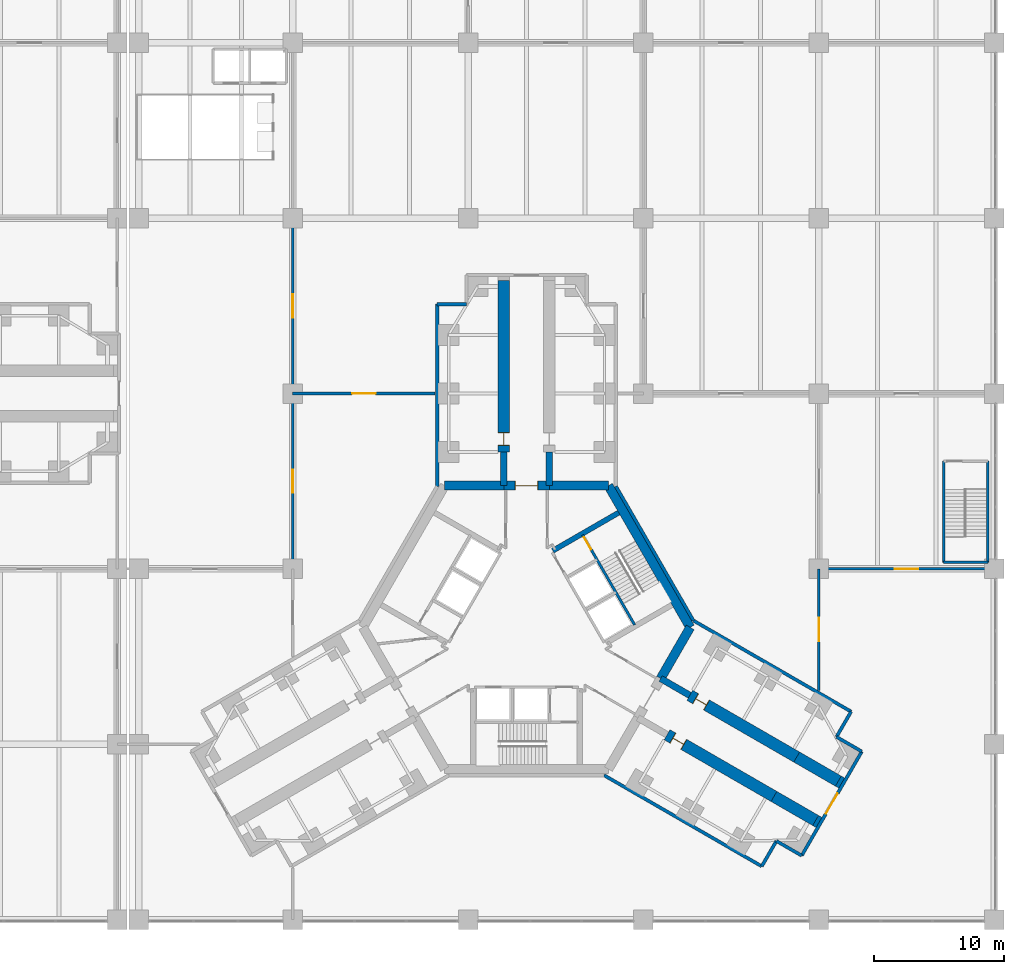
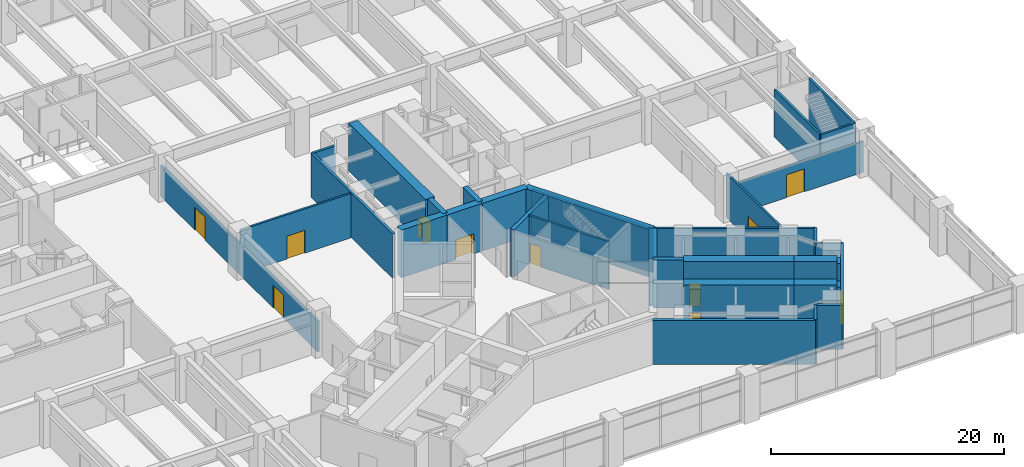
# One storey, part 26 of 31: 35 walls, 11 doors, 11 openings.
"""IFC4 building model written with IfcOpenShell, lengths in metres."""

from ifc_helpers import new_model, si_unit, direction, frame, frame_2d, origin, place, context, subcontext, project, spatial, rectangle, extrude, material, layer, layer_set, type_object, element, fill, save


model = new_model("IFC4")

# Units and contexts
model_context = context("Model", 3, precision=1e-05, world=origin(), true_north=direction((0.0, 1.0)))
body_context = subcontext(model_context, "Body", "Model", "MODEL_VIEW")
ifc_project = project(units=[si_unit("LENGTHUNIT", "METRE"), si_unit("AREAUNIT", "SQUARE_METRE"), si_unit("VOLUMEUNIT", "CUBIC_METRE"), si_unit("PLANEANGLEUNIT", "RADIAN"), si_unit("MASSUNIT", "GRAM", prefix="KILO")], contexts=[model_context])

# Site, building, storey
site_placement = place(None, origin())
site = spatial("IfcSite", under=ifc_project, at=site_placement, CompositionType="ELEMENT")
building_placement = place(site_placement, origin())
building = spatial("IfcBuilding", under=site, at=building_placement, Name="Upepo Twin Towers", CompositionType="ELEMENT")
storey_placement = place(building_placement, frame((0.0, 0.0, 15.5)))
storey = spatial("IfcBuildingStorey", under=building, at=storey_placement, Name="L03", CompositionType="ELEMENT", Elevation=15.5)

# Walls
ifc_material_1 = material(Name="Dense concrete blockwork", Category="masonry")
ifc_layer_1 = layer(ifc_material_1, 0.89990234375)
ifc_layer_set_1 = layer_set([ifc_layer_1], Name="Buttress closer 900, blockwork with fire-stopping to the curtain wall")
wall_type_1 = type_object("IfcWallType", Name="Buttress closer 900, blockwork with fire-stopping to the curtain wall", PredefinedType="PARTITIONING", material=ifc_layer_set_1)
wall_1_placement = place(storey_placement, frame((82.497802734375, -29.83447265625, 0.0), z_axis=(0.0, 0.0, 1.0), x_axis=(0.866131372301, -0.499816412211, 0.0)))
element("IfcWall", 1, at=wall_1_placement, inside=storey, type_object=wall_type_1, Name="T2 L03 wing C buttress closer L", PredefinedType="PARTITIONING", context=body_context, shape_type="SweptSolid", body=[
    extrude(rectangle(XDim=0.2998046875, YDim=0.89990234375, at=frame_2d((0.14990234375, 0.0))), origin(), (0.0, 0.0, 1.0), 4.800048828125),
])
wall_2_placement = place(storey_placement, frame((80.747802734375, -32.865478515625, 0.0), z_axis=(0.0, 0.0, 1.0), x_axis=(0.865778900179, -0.500426713919, 0.0)))
element("IfcWall", 2, at=wall_2_placement, inside=storey, type_object=wall_type_1, Name="T2 L03 wing C buttress closer R", PredefinedType="PARTITIONING", context=body_context, shape_type="SweptSolid", body=[
    extrude(rectangle(XDim=0.300048828125, YDim=0.89990234375, at=frame_2d((0.14990234375, 0.0))), origin(), (0.0, 0.0, 1.0), 4.800048828125),
])
ifc_material_2 = material(Name="Concrete C60/75", Category="concrete")
ifc_layer_2 = layer(ifc_material_2, 0.5)
ifc_layer_set_2 = layer_set([ifc_layer_2], Name="Concrete C60/75")
wall_type_2 = type_object("IfcWallType", Name="Buttress wall 500 RC", PredefinedType="SHEAR", material=ifc_layer_set_2)
for number, where, z_axis, x_axis, name in (
    (3, (56.75, -7.091552734375, 0.0), (0.0, 0.0, 1.0), (0.0, 1.0, 0.0), "T2 wing A buttress wall L"),
    (4, (60.25, -7.091552734375, 0.0), (0.0, 0.0, 1.0), (0.0, 1.0, 0.0), "T2 wing A buttress wall R"),
):
    element("IfcWall", number, at=place(storey_placement, frame(where, z_axis=z_axis, x_axis=x_axis)), inside=storey, type_object=wall_type_2, Name=name, PredefinedType="SHEAR", context=body_context, shape_type="SweptSolid", body=[
        extrude(rectangle(XDim=2.591552734375, YDim=0.5, at=frame_2d((1.2958984375, 0.0))), origin(), (0.0, 0.0, 1.0), 5.0),
    ])
wall_3_placement = place(storey_placement, frame((68.82177734375, -21.938720703125, 0.0), z_axis=(0.0, 0.0, 1.0), x_axis=(0.866072649678, -0.499918158782, 0.0)))
element("IfcWall", 5, at=wall_3_placement, inside=storey, type_object=wall_type_2, Name="T2 wing C buttress wall L", PredefinedType="SHEAR", context=body_context, shape_type="SweptSolid", body=[
    extrude(rectangle(XDim=2.591796875, YDim=0.5, at=frame_2d((1.2958984375, 0.0))), origin(), (0.0, 0.0, 1.0), 5.0),
])

# Wall, opening, door
ifc_material_3 = material(Name="Concrete C60/75", Category="concrete")
ifc_layer_3 = layer(ifc_material_3, 0.89990234375)
ifc_layer_set_3 = layer_set([ifc_layer_3], Name="Concrete C60/75")
wall_type_3 = type_object("IfcWallType", Name="Buttress wall 900 RC", PredefinedType="SHEAR", material=ifc_layer_set_3)
wall_4_placement = place(storey_placement, frame((56.75, -4.5, 0.0), z_axis=(0.0, 0.0, 1.0), x_axis=(0.0, 1.0, 0.0)))
wall_4 = element("IfcWall", 6, at=wall_4_placement, inside=storey, type_object=wall_type_3, Name="T2 wing A buttress wall L part 2", PredefinedType="SHEAR", context=body_context, shape_type="SweptSolid", body=[
    extrude(rectangle(XDim=13.199951171875, YDim=0.89990234375, at=frame_2d((6.60009765625, 0.0))), origin(), (0.0, 0.0, 1.0), 5.0),
])
opening_1_placement = place(wall_4_placement, frame((0.5, 0.0, 0.0)))
opening_1 = element("IfcOpeningElement", 7, at=opening_1_placement, cuts=wall_4, Name="Opening D1", PredefinedType="OPENING", context=body_context, shape_type="SweptSolid", body=[
    extrude(rectangle(XDim=1.0, YDim=2.10009765625, at=frame_2d((0.5, 1.050048828125))), frame((0.0, 0.4599609375, 0.0), z_axis=(0.0, -1.0, 0.0), x_axis=(1.0, 0.0, 0.0)), (0.0, 0.0, 1.0), 0.919921875),
])
ifc_material_4 = material(Name="Timber doorset", Category="wood")
door_type_1 = type_object("IfcDoorType", Name="Room door 1000 FD30", OperationType="SINGLE_SWING_LEFT", PredefinedType="DOOR", material=ifc_material_4)
door_1_placement = place(opening_1_placement, origin())
door_1 = element("IfcDoor", 8, at=door_1_placement, inside=storey, type_object=door_type_1, Name="T2 L03 research office door", OperationType="SINGLE_SWING_LEFT", OverallHeight=2.10009765625, OverallWidth=1.0, PredefinedType="DOOR", context=body_context, shape_type="SweptSolid", body=[
    extrude(rectangle(XDim=0.92, YDim=2.06009765625, at=frame_2d((0.5, 1.030029296875))), frame((0.0, 0.02490234375, 0.0), z_axis=(0.0, -1.0, 0.0), x_axis=(1.0, 0.0, 0.0)), (0.0, 0.0, 1.0), 0.050048828125),
    extrude(rectangle(XDim=0.04, YDim=2.10009765625, at=frame_2d((0.02001953125, 1.050048828125))), frame((0.0, 0.44970703125, 0.0), z_axis=(0.0, -1.0, 0.0), x_axis=(1.0, 0.0, 0.0)), (0.0, 0.0, 1.0), 0.8994140625),
    extrude(rectangle(XDim=0.04, YDim=2.10009765625, at=frame_2d((0.97998046875, 1.050048828125))), frame((0.0, 0.44970703125, 0.0), z_axis=(0.0, -1.0, 0.0), x_axis=(1.0, 0.0, 0.0)), (0.0, 0.0, 1.0), 0.8994140625),
    extrude(rectangle(XDim=0.92, YDim=0.04, at=frame_2d((0.5, 2.080078125))), frame((0.0, 0.44970703125, 0.0), z_axis=(0.0, -1.0, 0.0), x_axis=(1.0, 0.0, 0.0)), (0.0, 0.0, 1.0), 0.8994140625),
])
fill(opening_1, door_1)

wall_5_placement = place(storey_placement, frame((71.06640625, -23.234375, 0.0), z_axis=(0.0, 0.0, 1.0), x_axis=(0.86602681393, -0.499997557548, 0.0)))
wall_5 = element("IfcWall", 9, at=wall_5_placement, inside=storey, type_object=wall_type_3, Name="T2 wing C buttress wall L part 2", PredefinedType="SHEAR", context=body_context, shape_type="SweptSolid", body=[
    extrude(rectangle(XDim=9.5, YDim=0.89990234375, at=frame_2d((4.75, 0.0))), origin(), (0.0, 0.0, 1.0), 5.0),
])
opening_2_placement = place(wall_5_placement, frame((0.5, 0.0, 0.0)))
opening_2 = element("IfcOpeningElement", 10, at=opening_2_placement, cuts=wall_5, Name="Opening D1", PredefinedType="OPENING", context=body_context, shape_type="SweptSolid", body=[
    extrude(rectangle(XDim=1.0, YDim=2.10009765625, at=frame_2d((0.5, 1.050048828125))), frame((0.0, 0.4599609375, 0.0), z_axis=(0.0, -1.0, 0.0), x_axis=(1.0, 0.0, 0.0)), (0.0, 0.0, 1.0), 0.919921875),
])
door_2_placement = place(opening_2_placement, origin())
door_2 = element("IfcDoor", 11, at=door_2_placement, inside=storey, type_object=door_type_1, Name="T2 L03 research office door", OperationType="SINGLE_SWING_LEFT", OverallHeight=2.10009765625, OverallWidth=1.0, PredefinedType="DOOR", context=body_context, shape_type="SweptSolid", body=[
    extrude(rectangle(XDim=0.92, YDim=2.06009765625, at=frame_2d((0.5, 1.030029296875))), frame((0.0, 0.02490234375, 0.0), z_axis=(0.0, -1.0, 0.0), x_axis=(1.0, 0.0, 0.0)), (0.0, 0.0, 1.0), 0.050048828125),
    extrude(rectangle(XDim=0.04, YDim=2.10009765625, at=frame_2d((0.02001953125, 1.050048828125))), frame((0.0, 0.44970703125, 0.0), z_axis=(0.0, -1.0, 0.0), x_axis=(1.0, 0.0, 0.0)), (0.0, 0.0, 1.0), 0.8994140625),
    extrude(rectangle(XDim=0.04, YDim=2.10009765625, at=frame_2d((0.97998046875, 1.050048828125))), frame((0.0, 0.44970703125, 0.0), z_axis=(0.0, -1.0, 0.0), x_axis=(1.0, 0.0, 0.0)), (0.0, 0.0, 1.0), 0.8994140625),
    extrude(rectangle(XDim=0.92, YDim=0.04, at=frame_2d((0.5, 2.080078125))), frame((0.0, 0.44970703125, 0.0), z_axis=(0.0, -1.0, 0.0), x_axis=(1.0, 0.0, 0.0)), (0.0, 0.0, 1.0), 0.8994140625),
])
fill(opening_2, door_2)

# Wall
wall_6_placement = place(storey_placement, frame((79.293701171875, -27.984375, 0.0), z_axis=(0.0, 0.0, 1.0), x_axis=(0.866000971088, -0.500042316284, 0.0)))
element("IfcWall", 12, at=wall_6_placement, inside=storey, type_object=wall_type_3, Name="T2 wing C buttress wall L part 3", PredefinedType="SHEAR", context=body_context, shape_type="SweptSolid", body=[
    extrude(rectangle(XDim=3.699951171875, YDim=0.89990234375, at=frame_2d((1.85009765625, 0.0))), origin(), (0.0, 0.0, 1.0), 5.0),
])

# Wall, opening, door
wall_7_placement = place(storey_placement, frame((69.31640625, -26.265625, 0.0), z_axis=(0.0, 0.0, 1.0), x_axis=(0.86602681393, -0.499997557548, 0.0)))
wall_7 = element("IfcWall", 13, at=wall_7_placement, inside=storey, type_object=wall_type_3, Name="T2 wing C buttress wall R part 2", PredefinedType="SHEAR", context=body_context, shape_type="SweptSolid", body=[
    extrude(rectangle(XDim=9.5, YDim=0.89990234375, at=frame_2d((4.75, 0.0))), origin(), (0.0, 0.0, 1.0), 5.0),
])
opening_3_placement = place(wall_7_placement, frame((0.5, 0.0, 0.0)))
opening_3 = element("IfcOpeningElement", 14, at=opening_3_placement, cuts=wall_7, Name="Opening D1", PredefinedType="OPENING", context=body_context, shape_type="SweptSolid", body=[
    extrude(rectangle(XDim=1.0, YDim=2.10009765625, at=frame_2d((0.5, 1.050048828125))), frame((0.0, 0.4599609375, 0.0), z_axis=(0.0, -1.0, 0.0), x_axis=(1.0, 0.0, 0.0)), (0.0, 0.0, 1.0), 0.919921875),
])
door_3_placement = place(opening_3_placement, origin())
door_3 = element("IfcDoor", 15, at=door_3_placement, inside=storey, type_object=door_type_1, Name="T2 L03 research office door", OperationType="SINGLE_SWING_LEFT", OverallHeight=2.10009765625, OverallWidth=1.0, PredefinedType="DOOR", context=body_context, shape_type="SweptSolid", body=[
    extrude(rectangle(XDim=0.92, YDim=2.06009765625, at=frame_2d((0.5, 1.030029296875))), frame((0.0, 0.02490234375, 0.0), z_axis=(0.0, -1.0, 0.0), x_axis=(1.0, 0.0, 0.0)), (0.0, 0.0, 1.0), 0.050048828125),
    extrude(rectangle(XDim=0.04, YDim=2.10009765625, at=frame_2d((0.02001953125, 1.050048828125))), frame((0.0, 0.44970703125, 0.0), z_axis=(0.0, -1.0, 0.0), x_axis=(1.0, 0.0, 0.0)), (0.0, 0.0, 1.0), 0.8994140625),
    extrude(rectangle(XDim=0.04, YDim=2.10009765625, at=frame_2d((0.97998046875, 1.050048828125))), frame((0.0, 0.44970703125, 0.0), z_axis=(0.0, -1.0, 0.0), x_axis=(1.0, 0.0, 0.0)), (0.0, 0.0, 1.0), 0.8994140625),
    extrude(rectangle(XDim=0.92, YDim=0.04, at=frame_2d((0.5, 2.080078125))), frame((0.0, 0.44970703125, 0.0), z_axis=(0.0, -1.0, 0.0), x_axis=(1.0, 0.0, 0.0)), (0.0, 0.0, 1.0), 0.8994140625),
])
fill(opening_3, door_3)

# Walls
wall_8_placement = place(storey_placement, frame((77.543701171875, -31.015625, 0.0), z_axis=(0.0, 0.0, 1.0), x_axis=(0.866029545028, -0.499992827086, 0.0)))
element("IfcWall", 16, at=wall_8_placement, inside=storey, type_object=wall_type_3, Name="T2 wing C buttress wall R part 3", PredefinedType="SHEAR", context=body_context, shape_type="SweptSolid", body=[
    extrude(rectangle(XDim=3.69970703125, YDim=0.89990234375, at=frame_2d((1.849853515625, 0.0))), origin(), (0.0, 0.0, 1.0), 5.0),
])
ifc_material_5 = material(Name="Concrete C60/75", Category="concrete")
ifc_layer_4 = layer(ifc_material_5, 0.699951171875)
ifc_layer_set_4 = layer_set([ifc_layer_4], Name="Concrete C60/75")
wall_type_4 = type_object("IfcWallType", Name="Core wall 700 RC", PredefinedType="SHEAR", material=ifc_layer_set_4)
wall_9_placement = place(storey_placement, frame((64.7978515625, -7.091552734375, 0.0), z_axis=(0.0, 0.0, 1.0), x_axis=(-1.0, 0.0, 0.0)))
element("IfcWall", 17, at=wall_9_placement, inside=storey, type_object=wall_type_4, Name="T2 core wall 000 R", PredefinedType="SHEAR", context=body_context, shape_type="SweptSolid", body=[
    extrude(rectangle(XDim=4.5478515625, YDim=0.699951171875, at=frame_2d((2.27392578125, 0.0))), origin(), (0.0, 0.0, 1.0), 5.0),
])

# Wall, opening, door
wall_10_placement = place(storey_placement, frame((60.25, -7.091552734375, 0.0), z_axis=(0.0, 0.0, 1.0), x_axis=(-1.0, 0.0, 0.0)))
wall_10 = element("IfcWall", 18, at=wall_10_placement, inside=storey, type_object=wall_type_4, Name="T2 core wall 000", PredefinedType="SHEAR", context=body_context, shape_type="SweptSolid", body=[
    extrude(rectangle(XDim=3.5, YDim=0.699951171875, at=frame_2d((1.75, 0.0))), origin(), (0.0, 0.0, 1.0), 5.0),
])
opening_4_placement = place(wall_10_placement, frame((0.85009765625, 0.0, 0.0)))
opening_4 = element("IfcOpeningElement", 19, at=opening_4_placement, cuts=wall_10, Name="Opening D2", PredefinedType="OPENING", context=body_context, shape_type="SweptSolid", body=[
    extrude(rectangle(XDim=1.800048828125, YDim=2.10009765625, at=frame_2d((0.89990234375, 1.050048828125))), frame((0.0, 0.35986328125, 0.0), z_axis=(0.0, -1.0, 0.0), x_axis=(1.0, 0.0, 0.0)), (0.0, 0.0, 1.0), 0.719970703125),
])
ifc_material_6 = material(Name="Timber doorset", Category="wood")
door_type_2 = type_object("IfcDoorType", Name="Corridor double door 1800 FD60", OperationType="DOUBLE_DOOR_DOUBLE_SWING", PredefinedType="DOOR", material=ifc_material_6)
door_4_placement = place(opening_4_placement, origin())
door_4 = element("IfcDoor", 20, at=door_4_placement, inside=storey, type_object=door_type_2, Name="T2 L03 wing A corridor door", OperationType="DOUBLE_DOOR_DOUBLE_SWING", OverallHeight=2.10009765625, OverallWidth=1.800048828125, PredefinedType="DOOR", context=body_context, shape_type="SweptSolid", body=[
    extrude(rectangle(XDim=1.720048828125, YDim=2.06009765625, at=frame_2d((0.89990234375, 1.030029296875))), frame((0.0, 0.02490234375, 0.0), z_axis=(0.0, -1.0, 0.0), x_axis=(1.0, 0.0, 0.0)), (0.0, 0.0, 1.0), 0.050048828125),
    extrude(rectangle(XDim=0.04, YDim=2.10009765625, at=frame_2d((0.02001953125, 1.050048828125))), frame((0.0, 0.349609375, 0.0), z_axis=(0.0, -1.0, 0.0), x_axis=(1.0, 0.0, 0.0)), (0.0, 0.0, 1.0), 0.699462890625),
    extrude(rectangle(XDim=0.04, YDim=2.10009765625, at=frame_2d((1.780029296875, 1.050048828125))), frame((0.0, 0.349609375, 0.0), z_axis=(0.0, -1.0, 0.0), x_axis=(1.0, 0.0, 0.0)), (0.0, 0.0, 1.0), 0.699462890625),
    extrude(rectangle(XDim=1.720048828125, YDim=0.04, at=frame_2d((0.89990234375, 2.080078125))), frame((0.0, 0.349609375, 0.0), z_axis=(0.0, -1.0, 0.0), x_axis=(1.0, 0.0, 0.0)), (0.0, 0.0, 1.0), 0.699462890625),
])
fill(opening_4, door_4)

# Walls
wall_11_placement = place(storey_placement, frame((56.75, -7.091552734375, 0.0), z_axis=(0.0, 0.0, 1.0), x_axis=(-1.0, 0.0, 0.0)))
element("IfcWall", 21, at=wall_11_placement, inside=storey, type_object=wall_type_4, Name="T2 core wall 000 L", PredefinedType="SHEAR", context=body_context, shape_type="SweptSolid", body=[
    extrude(rectangle(XDim=4.5478515625, YDim=0.699951171875, at=frame_2d((2.27392578125, 0.0))), origin(), (0.0, 0.0, 1.0), 5.0),
])
wall_12_placement = place(storey_placement, frame((68.82177734375, -21.938720703125, 0.0), z_axis=(0.0, 0.0, 1.0), x_axis=(0.500024481964, 0.866011268655, 0.0)))
element("IfcWall", 22, at=wall_12_placement, inside=storey, type_object=wall_type_4, Name="T2 core wall 240 L", PredefinedType="SHEAR", context=body_context, shape_type="SweptSolid", body=[
    extrude(rectangle(XDim=4.548095703125, YDim=0.699951171875, at=frame_2d((2.27392578125, 0.0))), origin(), (0.0, 0.0, 1.0), 5.0),
])
wall_13_placement = place(storey_placement, frame((71.095947265625, -18.0, 0.0), z_axis=(0.0, 0.0, 1.0), x_axis=(-0.500005998175, 0.866021940709, 0.0)))
element("IfcWall", 23, at=wall_13_placement, inside=storey, type_object=wall_type_4, Name="T2 core wall 300", PredefinedType="SHEAR", context=body_context, shape_type="SweptSolid", body=[
    extrude(rectangle(XDim=12.595947265625, YDim=0.699951171875, at=frame_2d((6.2978515625, 0.0))), origin(), (0.0, 0.0, 1.0), 5.0),
])

# Wall, opening, door
ifc_material_7 = material(Name="Concrete blockwork", Category="masonry")
ifc_layer_5 = layer(ifc_material_7, 0.199951171875)
ifc_layer_set_5 = layer_set([ifc_layer_5], Name="Podium partition 200 blockwork")
wall_type_5 = type_object("IfcWallType", Name="Podium partition 200 blockwork", PredefinedType="PARTITIONING", material=ifc_layer_set_5)
wall_14_placement = place(storey_placement, frame((40.5, -13.5, 0.0), z_axis=(0.0, 0.0, 1.0), x_axis=(0.0, 1.0, 0.0)))
wall_14 = element("IfcWall", 24, at=wall_14_placement, inside=storey, type_object=wall_type_5, Name="L03 podium wall X52", PredefinedType="PARTITIONING", context=body_context, shape_type="SweptSolid", body=[
    extrude(rectangle(XDim=13.5, YDim=0.199951171875, at=frame_2d((6.75, 0.0))), origin(), (0.0, 0.0, 1.0), 3.25),
])
opening_5_placement = place(wall_14_placement, frame((5.85009765625, 0.0, 0.0)))
opening_5 = element("IfcOpeningElement", 25, at=opening_5_placement, cuts=wall_14, Name="Opening D10", PredefinedType="OPENING", context=body_context, shape_type="SweptSolid", body=[
    extrude(rectangle(XDim=1.800048828125, YDim=2.39990234375, at=frame_2d((0.89990234375, 1.199951171875))), frame((0.0, 0.10986328125, 0.0), z_axis=(0.0, -1.0, 0.0), x_axis=(1.0, 0.0, 0.0)), (0.0, 0.0, 1.0), 0.219970703125),
])
ifc_material_8 = material(Name="Timber doorset", Category="wood")
door_type_3 = type_object("IfcDoorType", Name="Podium double door 1800", OperationType="DOUBLE_DOOR_DOUBLE_SWING", PredefinedType="DOOR", material=ifc_material_8)
door_5_placement = place(opening_5_placement, origin())
door_5 = element("IfcDoor", 26, at=door_5_placement, inside=storey, type_object=door_type_3, Name="L03 research offices 3.01 annex 2 door", OperationType="DOUBLE_DOOR_DOUBLE_SWING", OverallHeight=2.39990234375, OverallWidth=1.800048828125, PredefinedType="DOOR", context=body_context, shape_type="SweptSolid", body=[
    extrude(rectangle(XDim=1.800048828125, YDim=2.39990234375, at=frame_2d((0.89990234375, 1.199951171875))), frame((0.0, 0.02490234375, 0.0), z_axis=(0.0, -1.0, 0.0), x_axis=(1.0, 0.0, 0.0)), (0.0, 0.0, 1.0), 0.050048828125),
])
fill(opening_5, door_5)

wall_15_placement = place(storey_placement, frame((40.5, 0.0, 0.0), z_axis=(0.0, 0.0, 1.0), x_axis=(0.0, 1.0, 0.0)))
wall_15 = element("IfcWall", 27, at=wall_15_placement, inside=storey, type_object=wall_type_5, Name="L03 podium wall X53", PredefinedType="PARTITIONING", context=body_context, shape_type="SweptSolid", body=[
    extrude(rectangle(XDim=13.5, YDim=0.199951171875, at=frame_2d((6.75, 0.0))), origin(), (0.0, 0.0, 1.0), 3.25),
])
opening_6_placement = place(wall_15_placement, frame((5.85009765625, 0.0, 0.0)))
opening_6 = element("IfcOpeningElement", 28, at=opening_6_placement, cuts=wall_15, Name="Opening D10", PredefinedType="OPENING", context=body_context, shape_type="SweptSolid", body=[
    extrude(rectangle(XDim=1.800048828125, YDim=2.39990234375, at=frame_2d((0.89990234375, 1.199951171875))), frame((0.0, 0.10986328125, 0.0), z_axis=(0.0, -1.0, 0.0), x_axis=(1.0, 0.0, 0.0)), (0.0, 0.0, 1.0), 0.219970703125),
])
door_6_placement = place(opening_6_placement, origin())
door_6 = element("IfcDoor", 29, at=door_6_placement, inside=storey, type_object=door_type_3, Name="L03 fitness and sports studio door", OperationType="DOUBLE_DOOR_DOUBLE_SWING", OverallHeight=2.39990234375, OverallWidth=1.800048828125, PredefinedType="DOOR", context=body_context, shape_type="SweptSolid", body=[
    extrude(rectangle(XDim=1.800048828125, YDim=2.39990234375, at=frame_2d((0.89990234375, 1.199951171875))), frame((0.0, 0.02490234375, 0.0), z_axis=(0.0, -1.0, 0.0), x_axis=(1.0, 0.0, 0.0)), (0.0, 0.0, 1.0), 0.050048828125),
])
fill(opening_6, door_6)

wall_16_placement = place(storey_placement, frame((40.5, 0.0, 0.0), z_axis=(0.0, 0.0, 1.0), x_axis=(1.0, 0.0, 0.0)))
wall_16 = element("IfcWall", 30, at=wall_16_placement, inside=storey, type_object=wall_type_5, Name="L03 podium wall Y53", PredefinedType="PARTITIONING", context=body_context, shape_type="SweptSolid", body=[
    extrude(rectangle(XDim=10.949951171875, YDim=0.199951171875, at=frame_2d((5.47509765625, 0.0))), origin(), (0.0, 0.0, 1.0), 4.64990234375),
])
opening_7_placement = place(wall_16_placement, frame((4.574951171875, 0.0, 0.0)))
opening_7 = element("IfcOpeningElement", 31, at=opening_7_placement, cuts=wall_16, Name="Opening D10", PredefinedType="OPENING", context=body_context, shape_type="SweptSolid", body=[
    extrude(rectangle(XDim=1.800048828125, YDim=2.39990234375, at=frame_2d((0.89990234375, 1.199951171875))), frame((0.0, 0.10986328125, 0.0), z_axis=(0.0, -1.0, 0.0), x_axis=(1.0, 0.0, 0.0)), (0.0, 0.0, 1.0), 0.219970703125),
])
door_7_placement = place(opening_7_placement, origin())
door_7 = element("IfcDoor", 32, at=door_7_placement, inside=storey, type_object=door_type_3, Name="L03 research offices 3.01-fitness and sports studio door", OperationType="DOUBLE_DOOR_DOUBLE_SWING", OverallHeight=2.39990234375, OverallWidth=1.800048828125, PredefinedType="DOOR", context=body_context, shape_type="SweptSolid", body=[
    extrude(rectangle(XDim=1.800048828125, YDim=2.39990234375, at=frame_2d((0.89990234375, 1.199951171875))), frame((0.0, 0.02490234375, 0.0), z_axis=(0.0, -1.0, 0.0), x_axis=(1.0, 0.0, 0.0)), (0.0, 0.0, 1.0), 0.050048828125),
])
fill(opening_7, door_7)

wall_17_placement = place(storey_placement, frame((81.0, -22.849853515625, 0.0), z_axis=(0.0, 0.0, 1.0), x_axis=(0.0, 1.0, 0.0)))
wall_17 = element("IfcWall", 33, at=wall_17_placement, inside=storey, type_object=wall_type_5, Name="L03 podium wall X81", PredefinedType="PARTITIONING", context=body_context, shape_type="SweptSolid", body=[
    extrude(rectangle(XDim=9.349853515625, YDim=0.199951171875, at=frame_2d((4.6748046875, 0.0))), origin(), (0.0, 0.0, 1.0), 4.64990234375),
])
opening_8_placement = place(wall_17_placement, frame((3.77490234375, 0.0, 0.0)))
opening_8 = element("IfcOpeningElement", 34, at=opening_8_placement, cuts=wall_17, Name="Opening D10", PredefinedType="OPENING", context=body_context, shape_type="SweptSolid", body=[
    extrude(rectangle(XDim=1.800048828125, YDim=2.39990234375, at=frame_2d((0.89990234375, 1.199951171875))), frame((0.0, 0.10986328125, 0.0), z_axis=(0.0, -1.0, 0.0), x_axis=(1.0, 0.0, 0.0)), (0.0, 0.0, 1.0), 0.219970703125),
])
door_8_placement = place(opening_8_placement, origin())
door_8 = element("IfcDoor", 35, at=door_8_placement, inside=storey, type_object=door_type_3, Name="L03 research offices 3.01-teaching laboratory 3.01 door", OperationType="DOUBLE_DOOR_DOUBLE_SWING", OverallHeight=2.39990234375, OverallWidth=1.800048828125, PredefinedType="DOOR", context=body_context, shape_type="SweptSolid", body=[
    extrude(rectangle(XDim=1.800048828125, YDim=2.39990234375, at=frame_2d((0.89990234375, 1.199951171875))), frame((0.0, 0.02490234375, 0.0), z_axis=(0.0, -1.0, 0.0), x_axis=(1.0, 0.0, 0.0)), (0.0, 0.0, 1.0), 0.050048828125),
])
fill(opening_8, door_8)

wall_18_placement = place(storey_placement, frame((81.0, -13.5, 0.0), z_axis=(0.0, 0.0, 1.0), x_axis=(1.0, 0.0, 0.0)))
wall_18 = element("IfcWall", 36, at=wall_18_placement, inside=storey, type_object=wall_type_5, Name="L03 podium wall Y82", PredefinedType="PARTITIONING", context=body_context, shape_type="SweptSolid", body=[
    extrude(rectangle(XDim=13.5, YDim=0.199951171875, at=frame_2d((6.75, 0.0))), origin(), (0.0, 0.0, 1.0), 3.25),
])
opening_9_placement = place(wall_18_placement, frame((5.85009765625, 0.0, 0.0)))
opening_9 = element("IfcOpeningElement", 37, at=opening_9_placement, cuts=wall_18, Name="Opening D10", PredefinedType="OPENING", context=body_context, shape_type="SweptSolid", body=[
    extrude(rectangle(XDim=1.800048828125, YDim=2.39990234375, at=frame_2d((0.89990234375, 1.199951171875))), frame((0.0, 0.10986328125, 0.0), z_axis=(0.0, -1.0, 0.0), x_axis=(1.0, 0.0, 0.0)), (0.0, 0.0, 1.0), 0.219970703125),
])
door_9_placement = place(opening_9_placement, origin())
door_9 = element("IfcDoor", 38, at=door_9_placement, inside=storey, type_object=door_type_3, Name="L03 teaching laboratory 3.01 door", OperationType="DOUBLE_DOOR_DOUBLE_SWING", OverallHeight=2.39990234375, OverallWidth=1.800048828125, PredefinedType="DOOR", context=body_context, shape_type="SweptSolid", body=[
    extrude(rectangle(XDim=1.800048828125, YDim=2.39990234375, at=frame_2d((0.89990234375, 1.199951171875))), frame((0.0, 0.02490234375, 0.0), z_axis=(0.0, -1.0, 0.0), x_axis=(1.0, 0.0, 0.0)), (0.0, 0.0, 1.0), 0.050048828125),
])
fill(opening_9, door_9)

# Walls
ifc_material_9 = material(Name="Concrete C40/50", Category="concrete")
ifc_layer_6 = layer(ifc_material_9, 0.199951171875)
ifc_layer_set_6 = layer_set([ifc_layer_6], Name="Concrete C40/50")
wall_type_6 = type_object("IfcWallType", Name="Podium stair enclosure 200 RC", PredefinedType="SHEAR", material=ifc_layer_set_6)
wall_19_placement = place(storey_placement, frame((90.60009765625, -13.0, 0.0), z_axis=(0.0, 0.0, 1.0), x_axis=(1.0, 0.0, 0.0)))
element("IfcWall", 39, at=wall_19_placement, inside=storey, type_object=wall_type_6, Name="PS2 L03 enclosure wall 1", PredefinedType="SHEAR", context=body_context, shape_type="SweptSolid", body=[
    extrude(rectangle(XDim=3.39990234375, YDim=0.199951171875, at=frame_2d((1.699951171875, 0.0))), origin(), (0.0, 0.0, 1.0), 5.0),
])
for number, where, z_axis, x_axis, name in (
    (40, (94.0, -13.0, 0.0), (0.0, 0.0, 1.0), (0.0, 1.0, 0.0), "PS2 L03 enclosure wall 2"),
    (41, (90.60009765625, -5.199951171875, 0.0), (0.0, 0.0, 1.0), (0.0, -1.0, 0.0), "PS2 L03 enclosure wall 4"),
):
    element("IfcWall", number, at=place(storey_placement, frame(where, z_axis=z_axis, x_axis=x_axis)), inside=storey, type_object=wall_type_6, Name=name, PredefinedType="SHEAR", context=body_context, shape_type="SweptSolid", body=[
        extrude(rectangle(XDim=7.800048828125, YDim=0.199951171875, at=frame_2d((3.89990234375, 0.0))), origin(), (0.0, 0.0, 1.0), 5.0),
    ])

# Wall, opening, door
ifc_material_10 = material(Name="Concrete C40/50", Category="concrete")
ifc_layer_7 = layer(ifc_material_10, 0.199951171875)
ifc_layer_set_7 = layer_set([ifc_layer_7], Name="Concrete C40/50")
wall_type_7 = type_object("IfcWallType", Name="Shaft wall 200 RC", PredefinedType="SHEAR", material=ifc_layer_set_7)
wall_20_placement = place(storey_placement, frame((66.822021484375, -17.814208984375, 0.0), z_axis=(0.0, 0.0, 1.0), x_axis=(-0.49999894854, 0.866026010844, 0.0)))
wall_20 = element("IfcWall", 42, at=wall_20_placement, inside=storey, type_object=wall_type_7, Name="T2 core W300 stair wall", PredefinedType="SHEAR", context=body_context, shape_type="SweptSolid", body=[
    extrude(rectangle(XDim=8.0, YDim=0.199951171875, at=frame_2d((4.0, 0.0))), origin(), (0.0, 0.0, 1.0), 5.0),
])
opening_10_placement = place(wall_20_placement, frame((6.699951171875, 0.0, 0.0)))
opening_10 = element("IfcOpeningElement", 43, at=opening_10_placement, cuts=wall_20, Name="Opening D3", PredefinedType="OPENING", context=body_context, shape_type="SweptSolid", body=[
    extrude(rectangle(XDim=1.10009765625, YDim=2.10009765625, at=frame_2d((0.550048828125, 1.050048828125))), frame((0.0, 0.10986328125, 0.0), z_axis=(0.0, -1.0, 0.0), x_axis=(1.0, 0.0, 0.0)), (0.0, 0.0, 1.0), 0.219970703125),
])
ifc_material_11 = material(Name="Timber doorset", Category="wood")
door_type_4 = type_object("IfcDoorType", Name="Stair door 1100 FD60", OperationType="SINGLE_SWING_LEFT", PredefinedType="DOOR", material=ifc_material_11)
door_10_placement = place(opening_10_placement, origin())
door_10 = element("IfcDoor", 44, at=door_10_placement, inside=storey, type_object=door_type_4, Name="T2 L03 stair door", OperationType="SINGLE_SWING_RIGHT", OverallHeight=2.10009765625, OverallWidth=1.10009765625, PredefinedType="DOOR", context=body_context, shape_type="SweptSolid", body=[
    extrude(rectangle(XDim=1.10009765625, YDim=2.10009765625, at=frame_2d((0.550048828125, 1.050048828125))), frame((0.0, 0.02490234375, 0.0), z_axis=(0.0, -1.0, 0.0), x_axis=(1.0, 0.0, 0.0)), (0.0, 0.0, 1.0), 0.050048828125),
])
fill(opening_10, door_10)

# Walls
ifc_material_12 = material(Name="Concrete C40/50", Category="concrete")
ifc_layer_8 = layer(ifc_material_12, 0.39990234375)
ifc_layer_set_8 = layer_set([ifc_layer_8], Name="Concrete C40/50")
wall_type_8 = type_object("IfcWallType", Name="Shaft wall 400 RC", PredefinedType="SHEAR", material=ifc_layer_set_8)
wall_21_placement = place(storey_placement, frame((60.520263671875, -12.099365234375, 0.0), z_axis=(0.0, 0.0, 1.0), x_axis=(0.866023886965, 0.500002627198, 0.0)))
element("IfcWall", 45, at=wall_21_placement, inside=storey, type_object=wall_type_8, Name="T2 core W300 side wall N", PredefinedType="SHEAR", context=body_context, shape_type="SweptSolid", body=[
    extrude(rectangle(XDim=5.8583984375, YDim=0.39990234375, at=frame_2d((2.92919921875, 0.0))), origin(), (0.0, 0.0, 1.0), 5.0),
])
ifc_material_13 = material(Name="Concrete blockwork", Category="masonry")
ifc_layer_9 = layer(ifc_material_13, 0.25)
ifc_layer_set_9 = layer_set([ifc_layer_9], Name="Tower enclosure wall 250 blockwork")
wall_type_9 = type_object("IfcWallType", Name="Tower enclosure wall 250 blockwork", PredefinedType="STANDARD", material=ifc_layer_set_9)
wall_22_placement = place(storey_placement, frame((82.35498046875, -26.43212890625, 0.0), z_axis=(0.0, 0.0, 1.0), x_axis=(0.866017533419, -0.500013631625, 0.0)))
element("IfcWall", 46, at=wall_22_placement, inside=storey, type_object=wall_type_9, Name="T2 L03 enclosure wall 1", PredefinedType="STANDARD", context=body_context, shape_type="SweptSolid", body=[
    extrude(rectangle(XDim=2.25, YDim=0.25, at=frame_2d((1.125, 0.0))), origin(), (0.0, 0.0, 1.0), 4.64990234375),
])

# Wall, opening, door
wall_23_placement = place(storey_placement, frame((84.303466796875, -27.55712890625, 0.0), z_axis=(0.0, 0.0, 1.0), x_axis=(-0.499999662836, -0.866025598446, 0.0)))
wall_23 = element("IfcWall", 47, at=wall_23_placement, inside=storey, type_object=wall_type_9, Name="T2 L03 enclosure wall 2", PredefinedType="STANDARD", context=body_context, shape_type="SweptSolid", body=[
    extrude(rectangle(XDim=9.25, YDim=0.25, at=frame_2d((4.625, 0.0))), origin(), (0.0, 0.0, 1.0), 4.64990234375),
])
opening_11_placement = place(wall_23_placement, frame((3.72509765625, 0.0, 0.0)))
opening_11 = element("IfcOpeningElement", 48, at=opening_11_placement, cuts=wall_23, Name="Opening D2", PredefinedType="OPENING", context=body_context, shape_type="SweptSolid", body=[
    extrude(rectangle(XDim=1.800048828125, YDim=2.10009765625, at=frame_2d((0.89990234375, 1.050048828125))), frame((0.0, 0.135009765625, 0.0), z_axis=(0.0, -1.0, 0.0), x_axis=(1.0, 0.0, 0.0)), (0.0, 0.0, 1.0), 0.27001953125),
])
door_11_placement = place(opening_11_placement, origin())
door_11 = element("IfcDoor", 49, at=door_11_placement, inside=storey, type_object=door_type_2, Name="T2 L03 wing C podium door", OperationType="DOUBLE_DOOR_DOUBLE_SWING", OverallHeight=2.10009765625, OverallWidth=1.800048828125, PredefinedType="DOOR", context=body_context, shape_type="SweptSolid", body=[
    extrude(rectangle(XDim=1.800048828125, YDim=2.10009765625, at=frame_2d((0.89990234375, 1.050048828125))), frame((0.0, 0.02490234375, 0.0), z_axis=(0.0, -1.0, 0.0), x_axis=(1.0, 0.0, 0.0)), (0.0, 0.0, 1.0), 0.050048828125),
])
fill(opening_11, door_11)

# Walls
for number, where, z_axis, x_axis, name in (
    (50, (79.678466796875, -35.56787109375, 0.0), (0.0, 0.0, 1.0), (-0.866017533419, 0.500013631625, 0.0), "T2 L03 enclosure wall 3"),
    (51, (77.72998046875, -34.44287109375, 0.0), (0.0, 0.0, 1.0), (-0.500013631625, -0.866017533419, 0.0), "T2 L03 enclosure wall 4"),
):
    element("IfcWall", number, at=place(storey_placement, frame(where, z_axis=z_axis, x_axis=x_axis)), inside=storey, type_object=wall_type_9, Name=name, PredefinedType="STANDARD", context=body_context, shape_type="SweptSolid", body=[
        extrude(rectangle(XDim=2.25, YDim=0.25, at=frame_2d((1.125, 0.0))), origin(), (0.0, 0.0, 1.0), 4.64990234375),
    ])
for number, where, z_axis, x_axis, name in (
    (52, (76.60498046875, -36.391357421875, 0.0), (0.0, 0.0, 1.0), (-0.866027500821, 0.499996367808, 0.0), "T2 L03 enclosure wall 5"),
    (53, (51.625, -7.14111328125, 0.0), (0.0, 0.0, 1.0), (0.0, 1.0, 0.0), "T2 L03 enclosure wall 15"),
):
    element("IfcWall", number, at=place(storey_placement, frame(where, z_axis=z_axis, x_axis=x_axis)), inside=storey, type_object=wall_type_9, Name=name, PredefinedType="STANDARD", context=body_context, shape_type="SweptSolid", body=[
        extrude(rectangle(XDim=14.01611328125, YDim=0.25, at=frame_2d((7.008056640625, 0.0))), origin(), (0.0, 0.0, 1.0), 4.64990234375),
    ])
wall_24_placement = place(storey_placement, frame((51.625, 6.875, 0.0), z_axis=(0.0, 0.0, 1.0), x_axis=(1.0, 0.0, 0.0)))
element("IfcWall", 54, at=wall_24_placement, inside=storey, type_object=wall_type_9, Name="T2 L03 enclosure wall 16", PredefinedType="STANDARD", context=body_context, shape_type="SweptSolid", body=[
    extrude(rectangle(XDim=2.25, YDim=0.25, at=frame_2d((1.125, 0.0))), origin(), (0.0, 0.0, 1.0), 4.64990234375),
])
wall_25_placement = place(storey_placement, frame((65.375, -7.14111328125, 0.0), z_axis=(0.0, 0.0, 1.0), x_axis=(0.499996365031, -0.866027502425, 0.0)))
element("IfcWall", 55, at=wall_25_placement, inside=storey, type_object=wall_type_9, Name="T2 L03 enclosure wall 22", PredefinedType="STANDARD", context=body_context, shape_type="SweptSolid", body=[
    extrude(rectangle(XDim=11.93310546875, YDim=0.25, at=frame_2d((5.966552734375, 0.0))), origin(), (0.0, 0.0, 1.0), 4.64990234375),
])
wall_26_placement = place(storey_placement, frame((71.341552734375, -17.4755859375, 0.0), z_axis=(0.0, 0.0, 1.0), x_axis=(0.866027500821, -0.499996367808, 0.0)))
element("IfcWall", 56, at=wall_26_placement, inside=storey, type_object=wall_type_9, Name="T2 L03 enclosure wall 23", PredefinedType="STANDARD", context=body_context, shape_type="SweptSolid", body=[
    extrude(rectangle(XDim=14.01611328125, YDim=0.25, at=frame_2d((7.008056640625, 0.0))), origin(), (0.0, 0.0, 1.0), 4.64990234375),
])
wall_27_placement = place(storey_placement, frame((83.47998046875, -24.483642578125, 0.0), z_axis=(0.0, 0.0, 1.0), x_axis=(-0.500013631625, -0.866017533419, 0.0)))
element("IfcWall", 57, at=wall_27_placement, inside=storey, type_object=wall_type_9, Name="T2 L03 enclosure wall 24", PredefinedType="STANDARD", context=body_context, shape_type="SweptSolid", body=[
    extrude(rectangle(XDim=2.25, YDim=0.25, at=frame_2d((1.125, 0.0))), origin(), (0.0, 0.0, 1.0), 4.64990234375),
])

save(model, "model.ifc")
